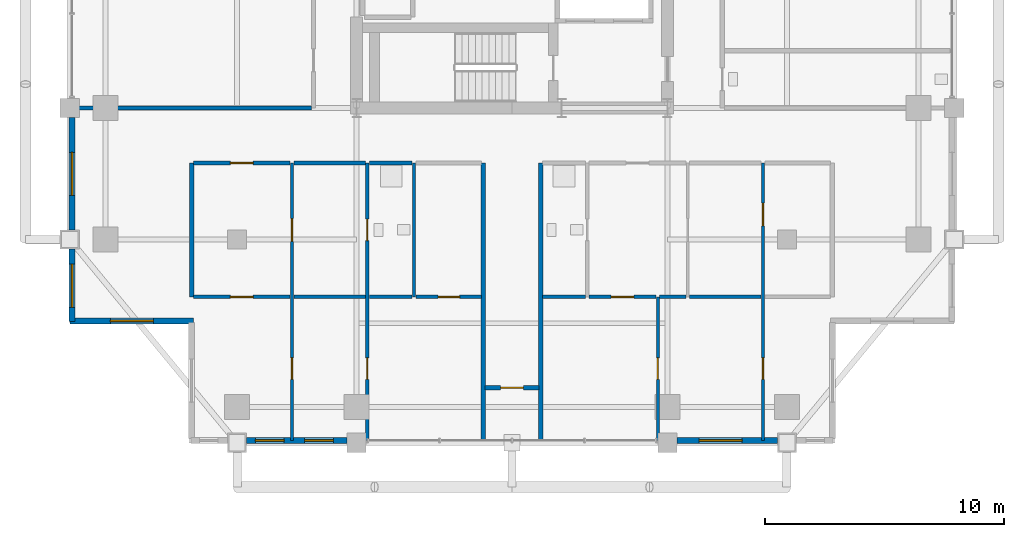
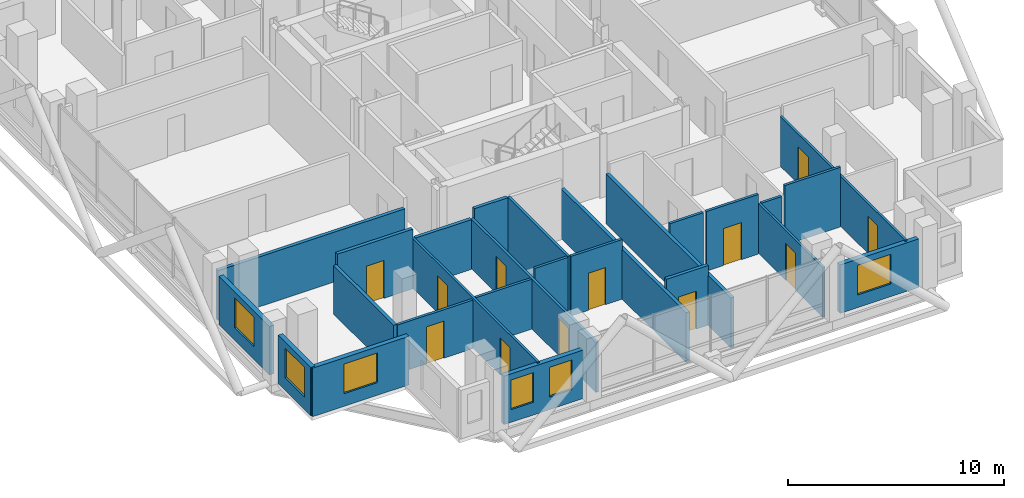
# One storey, part 20 of 26: 26 walls, 12 doors, 6 windows, 18 openings.
"""IFC4 building model written with IfcOpenShell, lengths in metres."""

from ifc_helpers import new_model, si_unit, direction, frame, frame_2d, origin, place, context, subcontext, project, spatial, rectangle, extrude, material, layer, layer_set, type_object, element, fill, save


model = new_model("IFC4")

# Units and contexts
model_context = context("Model", 3, precision=1e-05, world=origin(), true_north=direction((0.0, 1.0)))
body_context = subcontext(model_context, "Body", "Model", "MODEL_VIEW")
ifc_project = project(units=[si_unit("LENGTHUNIT", "METRE"), si_unit("AREAUNIT", "SQUARE_METRE"), si_unit("VOLUMEUNIT", "CUBIC_METRE"), si_unit("PLANEANGLEUNIT", "RADIAN"), si_unit("MASSUNIT", "GRAM", prefix="KILO")], contexts=[model_context])

# Site, building, storey
site_placement = place(None, origin())
site = spatial("IfcSite", under=ifc_project, at=site_placement, CompositionType="ELEMENT")
building_placement = place(site_placement, origin())
building = spatial("IfcBuilding", under=site, at=building_placement, Name="Barlavira Tower and Art Museum", CompositionType="ELEMENT")
storey_placement = place(building_placement, frame((0.0, 0.0, 198.0)))
storey = spatial("IfcBuildingStorey", under=building, at=storey_placement, Name="L51", CompositionType="ELEMENT", Elevation=198.0)

# Wall, openings, doors
ifc_material_1 = material(Name="Gypsum acoustic stud partition", Category="gypsum")
ifc_layer_1 = layer(ifc_material_1, 0.1201171875, Name="Gypsum acoustic stud partition")
ifc_layer_set_1 = layer_set([ifc_layer_1], Name="Gypsum acoustic stud partition")
wall_type_1 = type_object("IfcWallType", Name="Apartment Internal Acoustic Partition 120", PredefinedType="PARTITIONING", material=ifc_layer_set_1)
wall_1_placement = place(storey_placement, frame((-9.199951171875, -21.39990234375, 0.0), z_axis=(0.0, 0.0, 1.0), x_axis=(0.0, 1.0, 0.0)))
wall_1 = element("IfcWall", 1, at=wall_1_placement, inside=storey, type_object=wall_type_1, Name="L51 Partition Wall 3", PredefinedType="PARTITIONING", context=body_context, shape_type="SweptSolid", body=[
    extrude(rectangle(XDim=11.599853515625, YDim=0.1201171875, at=frame_2d((5.7998046875, 0.0))), origin(), (0.0, 0.0, 1.0), 2.825927734375),
])
opening_1_placement = place(wall_1_placement, frame((8.324951171875, 0.0, 0.0)))
opening_1 = element("IfcOpeningElement", 2, at=opening_1_placement, cuts=wall_1, Name="Opening D-02", PredefinedType="OPENING", context=body_context, shape_type="SweptSolid", body=[
    extrude(rectangle(XDim=0.949951171875, YDim=2.10009765625, at=frame_2d((0.47509765625, 1.050048828125))), frame((0.0, 0.070068359375, 0.0), z_axis=(0.0, -1.0, 0.0), x_axis=(1.0, 0.0, 0.0)), (0.0, 0.0, 1.0), 0.14013671875),
])
opening_2_placement = place(wall_1_placement, frame((2.550048828125, 0.0, 0.0)))
opening_2 = element("IfcOpeningElement", 3, at=opening_2_placement, cuts=wall_1, Name="Opening D-01", PredefinedType="OPENING", context=body_context, shape_type="SweptSolid", body=[
    extrude(rectangle(XDim=0.89990234375, YDim=2.10009765625, at=frame_2d((0.449951171875, 1.050048828125))), frame((0.0, 0.070068359375, 0.0), z_axis=(0.0, -1.0, 0.0), x_axis=(1.0, 0.0, 0.0)), (0.0, 0.0, 1.0), 0.14013671875),
])
ifc_material_2 = material(Name="Engineered coastal hardwood", Category="wood")
door_type_1 = type_object("IfcDoorType", Name="Internal Bedroom Timber Flush Door 900x2100", OperationType="NOTDEFINED", PredefinedType="DOOR", material=ifc_material_2)
door_1_placement = place(opening_2_placement, origin())
door_1 = element("IfcDoor", 4, at=door_1_placement, inside=storey, type_object=door_type_1, Name="Apartment SW1 Bedroom 1 Door", OperationType="SINGLE_SWING_RIGHT", OverallHeight=2.10009765625, OverallWidth=0.89990234375, PredefinedType="DOOR", context=body_context, shape_type="SweptSolid", body=[
    extrude(rectangle(XDim=0.89990234375, YDim=2.10009765625, at=frame_2d((0.449951171875, 1.050048828125))), frame((0.0, 0.02490234375, 0.0), z_axis=(0.0, -1.0, 0.0), x_axis=(1.0, 0.0, 0.0)), (0.0, 0.0, 1.0), 0.050048828125),
])
fill(opening_2, door_1)
door_type_2 = type_object("IfcDoorType", Name="Living and Salon Glazed-Leaf Door 950x2100", OperationType="NOTDEFINED", PredefinedType="DOOR", material=ifc_material_2)
door_2_placement = place(opening_1_placement, origin())
door_2 = element("IfcDoor", 5, at=door_2_placement, inside=storey, type_object=door_type_2, Name="Apartment SW1 Kitchen Door", OperationType="SINGLE_SWING_RIGHT", OverallHeight=2.10009765625, OverallWidth=0.949951171875, PredefinedType="DOOR", context=body_context, shape_type="SweptSolid", body=[
    extrude(rectangle(XDim=0.949951171875, YDim=2.10009765625, at=frame_2d((0.47509765625, 1.050048828125))), frame((0.0, 0.02490234375, 0.0), z_axis=(0.0, -1.0, 0.0), x_axis=(1.0, 0.0, 0.0)), (0.0, 0.0, 1.0), 0.050048828125),
])
fill(opening_1, door_2)

# Wall, opening, door
wall_2_placement = place(storey_placement, frame((6.10009765625, -21.39990234375, 0.0), z_axis=(0.0, 0.0, 1.0), x_axis=(0.0, 1.0, 0.0)))
wall_2 = element("IfcWall", 6, at=wall_2_placement, inside=storey, type_object=wall_type_1, Name="L51 Partition Wall 19", PredefinedType="PARTITIONING", context=body_context, shape_type="SweptSolid", body=[
    extrude(rectangle(XDim=6.0, YDim=0.1201171875, at=frame_2d((3.0, 0.0))), origin(), (0.0, 0.0, 1.0), 2.825927734375),
])
opening_3_placement = place(wall_2_placement, frame((2.550048828125, 0.0, 0.0)))
opening_3 = element("IfcOpeningElement", 7, at=opening_3_placement, cuts=wall_2, Name="Opening D-01", PredefinedType="OPENING", context=body_context, shape_type="SweptSolid", body=[
    extrude(rectangle(XDim=0.89990234375, YDim=2.10009765625, at=frame_2d((0.449951171875, 1.050048828125))), frame((0.0, 0.070068359375, 0.0), z_axis=(0.0, -1.0, 0.0), x_axis=(1.0, 0.0, 0.0)), (0.0, 0.0, 1.0), 0.14013671875),
])
door_3_placement = place(opening_3_placement, origin())
door_3 = element("IfcDoor", 8, at=door_3_placement, inside=storey, type_object=door_type_1, Name="Apartment SE1 Bedroom 1 Door", OperationType="SINGLE_SWING_LEFT", OverallHeight=2.10009765625, OverallWidth=0.89990234375, PredefinedType="DOOR", context=body_context, shape_type="SweptSolid", body=[
    extrude(rectangle(XDim=0.89990234375, YDim=2.10009765625, at=frame_2d((0.449951171875, 1.050048828125))), frame((0.0, 0.02490234375, 0.0), z_axis=(0.0, -1.0, 0.0), x_axis=(1.0, 0.0, 0.0)), (0.0, 0.0, 1.0), 0.050048828125),
])
fill(opening_3, door_3)

# Wall, openings, doors
wall_3_placement = place(storey_placement, frame((10.5, -21.39990234375, 0.0), z_axis=(0.0, 0.0, 1.0), x_axis=(0.0, 1.0, 0.0)))
wall_3 = element("IfcWall", 9, at=wall_3_placement, inside=storey, type_object=wall_type_1, Name="L51 Partition Wall 24", PredefinedType="PARTITIONING", context=body_context, shape_type="SweptSolid", body=[
    extrude(rectangle(XDim=11.599853515625, YDim=0.1201171875, at=frame_2d((5.7998046875, 0.0))), origin(), (0.0, 0.0, 1.0), 2.825927734375),
])
opening_4_placement = place(wall_3_placement, frame((8.973388671875, 0.0, 0.0)))
opening_4 = element("IfcOpeningElement", 10, at=opening_4_placement, cuts=wall_3, Name="Opening D-02", PredefinedType="OPENING", context=body_context, shape_type="SweptSolid", body=[
    extrude(rectangle(XDim=0.949951171875, YDim=2.10009765625, at=frame_2d((0.47509765625, 1.050048828125))), frame((0.0, 0.070068359375, 0.0), z_axis=(0.0, -1.0, 0.0), x_axis=(1.0, 0.0, 0.0)), (0.0, 0.0, 1.0), 0.14013671875),
])
opening_5_placement = place(wall_3_placement, frame((2.550048828125, 0.0, 0.0)))
opening_5 = element("IfcOpeningElement", 11, at=opening_5_placement, cuts=wall_3, Name="Opening D-01", PredefinedType="OPENING", context=body_context, shape_type="SweptSolid", body=[
    extrude(rectangle(XDim=0.89990234375, YDim=2.10009765625, at=frame_2d((0.449951171875, 1.050048828125))), frame((0.0, 0.070068359375, 0.0), z_axis=(0.0, -1.0, 0.0), x_axis=(1.0, 0.0, 0.0)), (0.0, 0.0, 1.0), 0.14013671875),
])
door_4_placement = place(opening_5_placement, origin())
door_4 = element("IfcDoor", 12, at=door_4_placement, inside=storey, type_object=door_type_1, Name="Apartment SE1 Bedroom 2 Door", OperationType="SINGLE_SWING_RIGHT", OverallHeight=2.10009765625, OverallWidth=0.89990234375, PredefinedType="DOOR", context=body_context, shape_type="SweptSolid", body=[
    extrude(rectangle(XDim=0.89990234375, YDim=2.10009765625, at=frame_2d((0.449951171875, 1.050048828125))), frame((0.0, 0.02490234375, 0.0), z_axis=(0.0, -1.0, 0.0), x_axis=(1.0, 0.0, 0.0)), (0.0, 0.0, 1.0), 0.050048828125),
])
fill(opening_5, door_4)
door_5_placement = place(opening_4_placement, origin())
door_5 = element("IfcDoor", 13, at=door_5_placement, inside=storey, type_object=door_type_2, Name="Apartment SE1 Dining Salon Door", OperationType="SINGLE_SWING_LEFT", OverallHeight=2.10009765625, OverallWidth=0.949951171875, PredefinedType="DOOR", context=body_context, shape_type="SweptSolid", body=[
    extrude(rectangle(XDim=0.949951171875, YDim=2.10009765625, at=frame_2d((0.47509765625, 1.050048828125))), frame((0.0, 0.02490234375, 0.0), z_axis=(0.0, -1.0, 0.0), x_axis=(1.0, 0.0, 0.0)), (0.0, 0.0, 1.0), 0.050048828125),
])
fill(opening_4, door_5)

# Walls
ifc_layer_2 = layer(ifc_material_1, 0.179931640625, Name="Gypsum acoustic stud partition")
ifc_layer_set_2 = layer_set([ifc_layer_2], Name="Gypsum acoustic stud partition")
wall_type_2 = type_object("IfcWallType", Name="Inter-Tenancy Party Partition Wall 180", PredefinedType="PARTITIONING", material=ifc_layer_set_2)
wall_4_placement = place(storey_placement, frame((-13.39990234375, -15.39990234375, 0.0), z_axis=(0.0, 0.0, 1.0), x_axis=(0.0, 1.0, 0.0)))
element("IfcWall", 14, at=wall_4_placement, inside=storey, type_object=wall_type_2, Name="L51 Partition Wall 1", PredefinedType="PARTITIONING", context=body_context, shape_type="SweptSolid", body=[
    extrude(rectangle(XDim=5.599853515625, YDim=0.179931640625, at=frame_2d((2.7998046875, 0.0))), origin(), (0.0, 0.0, 1.0), 2.748046875),
])
for number, where, z_axis, x_axis, name in (
    (15, (-1.199951171875, -21.39990234375, 0.0), (0.0, 0.0, 1.0), (0.0, 1.0, 0.0), "L51 Partition Wall 12"),
    (16, (1.199951171875, -21.39990234375, 0.0), (0.0, 0.0, 1.0), (0.0, 1.0, 0.0), "L51 Partition Wall 14"),
):
    element("IfcWall", number, at=place(storey_placement, frame(where, z_axis=z_axis, x_axis=x_axis)), inside=storey, type_object=wall_type_2, Name=name, PredefinedType="PARTITIONING", context=body_context, shape_type="SweptSolid", body=[
        extrude(rectangle(XDim=11.599853515625, YDim=0.179931640625, at=frame_2d((5.7998046875, 0.0))), origin(), (0.0, 0.0, 1.0), 2.825927734375),
    ])

# Wall, opening, door
wall_5_placement = place(storey_placement, frame((-1.1201171875, -19.199951171875, 0.0), z_axis=(0.0, 0.0, 1.0), x_axis=(1.0, 0.0, 0.0)))
wall_5 = element("IfcWall", 17, at=wall_5_placement, inside=storey, type_object=wall_type_2, Name="L51 Partition Wall 28", PredefinedType="PARTITIONING", context=body_context, shape_type="SweptSolid", body=[
    extrude(rectangle(XDim=2.240234375, YDim=0.179931640625, at=frame_2d((1.1201171875, 0.0))), origin(), (0.0, 0.0, 1.0), 3.3798828125),
])
opening_6_placement = place(wall_5_placement, frame((0.64501953125, 0.0, 0.0)))
opening_6 = element("IfcOpeningElement", 18, at=opening_6_placement, cuts=wall_5, Name="Opening FD-60", PredefinedType="OPENING", context=body_context, shape_type="SweptSolid", body=[
    extrude(rectangle(XDim=0.949951171875, YDim=2.14990234375, at=frame_2d((0.47509765625, 1.074951171875))), frame((0.0, 0.10009765625, 0.0), z_axis=(0.0, -1.0, 0.0), x_axis=(1.0, 0.0, 0.0)), (0.0, 0.0, 1.0), 0.199951171875),
])
ifc_material_3 = material(Name="Brushed stainless steel", Category="steel")
door_type_3 = type_object("IfcDoorType", Name="Apartment Entrance and Riser Fire Door 950x2150 FD60S", OperationType="NOTDEFINED", PredefinedType="DOOR", material=ifc_material_3)
door_6_placement = place(opening_6_placement, origin())
door_6 = element("IfcDoor", 19, at=door_6_placement, inside=storey, type_object=door_type_3, Name="L51 South Horizon Reading Alcove Door", OperationType="SINGLE_SWING_RIGHT", OverallHeight=2.14990234375, OverallWidth=0.949951171875, PredefinedType="DOOR", context=body_context, shape_type="SweptSolid", body=[
    extrude(rectangle(XDim=0.949951171875, YDim=2.14990234375, at=frame_2d((0.47509765625, 1.074951171875))), frame((0.0, 0.02490234375, 0.0), z_axis=(0.0, -1.0, 0.0), x_axis=(1.0, 0.0, 0.0)), (0.0, 0.0, 1.0), 0.050048828125),
])
fill(opening_6, door_6)

wall_6_placement = place(storey_placement, frame((-13.320068359375, -9.800048828125, 0.0), z_axis=(0.0, 0.0, 1.0), x_axis=(1.0, 0.0, 0.0)))
wall_6 = element("IfcWall", 20, at=wall_6_placement, inside=storey, type_object=wall_type_2, Name="L51 Partition Wall 38", PredefinedType="PARTITIONING", context=body_context, shape_type="SweptSolid", body=[
    extrude(rectangle(XDim=4.0400390625, YDim=0.179931640625, at=frame_2d((2.02001953125, 0.0))), origin(), (0.0, 0.0, 1.0), 3.3798828125),
])
opening_7_placement = place(wall_6_placement, frame((1.544921875, 0.0, 0.0)))
opening_7 = element("IfcOpeningElement", 21, at=opening_7_placement, cuts=wall_6, Name="Opening FD-60", PredefinedType="OPENING", context=body_context, shape_type="SweptSolid", body=[
    extrude(rectangle(XDim=0.949951171875, YDim=2.14990234375, at=frame_2d((0.47509765625, 1.074951171875))), frame((0.0, 0.10009765625, 0.0), z_axis=(0.0, -1.0, 0.0), x_axis=(1.0, 0.0, 0.0)), (0.0, 0.0, 1.0), 0.199951171875),
])
door_7_placement = place(opening_7_placement, origin())
door_7 = element("IfcDoor", 22, at=door_7_placement, inside=storey, type_object=door_type_3, Name="Apartment Entrance Hall SW1 Door", OperationType="SINGLE_SWING_LEFT", OverallHeight=2.14990234375, OverallWidth=0.949951171875, PredefinedType="DOOR", context=body_context, shape_type="SweptSolid", body=[
    extrude(rectangle(XDim=0.949951171875, YDim=2.14990234375, at=frame_2d((0.47509765625, 1.074951171875))), frame((0.0, 0.02490234375, 0.0), z_axis=(0.0, -1.0, 0.0), x_axis=(1.0, 0.0, 0.0)), (0.0, 0.0, 1.0), 0.050048828125),
])
fill(opening_7, door_7)

# Walls
wall_7_placement = place(storey_placement, frame((-9.1201171875, -9.800048828125, 0.0), z_axis=(0.0, 0.0, 1.0), x_axis=(1.0, 0.0, 0.0)))
element("IfcWall", 23, at=wall_7_placement, inside=storey, type_object=wall_type_2, Name="L51 Partition Wall 39", PredefinedType="PARTITIONING", context=body_context, shape_type="SweptSolid", body=[
    extrude(rectangle(XDim=2.990234375, YDim=0.179931640625, at=frame_2d((1.4951171875, 0.0))), origin(), (0.0, 0.0, 1.0), 2.825927734375),
])
wall_8_placement = place(storey_placement, frame((-5.969970703125, -9.800048828125, 0.0), z_axis=(0.0, 0.0, 1.0), x_axis=(1.0, 0.0, 0.0)))
element("IfcWall", 24, at=wall_8_placement, inside=storey, type_object=wall_type_2, Name="L51 Partition Wall 40", PredefinedType="PARTITIONING", context=body_context, shape_type="SweptSolid", body=[
    extrude(rectangle(XDim=1.7900390625, YDim=0.179931640625, at=frame_2d((0.89501953125, 0.0))), origin(), (0.0, 0.0, 1.0), 3.3798828125),
])
wall_9_placement = place(storey_placement, frame((-18.39990234375, -7.5, 0.0), z_axis=(0.0, 0.0, 1.0), x_axis=(1.0, 0.0, 0.0)))
element("IfcWall", 25, at=wall_9_placement, inside=storey, type_object=wall_type_2, Name="L51 Partition Wall 46", PredefinedType="PARTITIONING", context=body_context, shape_type="SweptSolid", body=[
    extrude(rectangle(XDim=10.02001953125, YDim=0.179931640625, at=frame_2d((5.010009765625, 0.0))), origin(), (0.0, 0.0, 1.0), 2.825927734375),
])

# Wall, openings, doors
ifc_layer_3 = layer(ifc_material_1, 0.139892578125, Name="Gypsum acoustic stud partition")
ifc_layer_set_3 = layer_set([ifc_layer_3], Name="Gypsum acoustic stud partition")
wall_type_3 = type_object("IfcWallType", Name="Moisture-Resistant Bathroom Partition 140", PredefinedType="PARTITIONING", material=ifc_layer_set_3)
wall_10_placement = place(storey_placement, frame((-6.050048828125, -21.39990234375, 0.0), z_axis=(0.0, 0.0, 1.0), x_axis=(0.0, 1.0, 0.0)))
wall_10 = element("IfcWall", 26, at=wall_10_placement, inside=storey, type_object=wall_type_3, Name="L51 Partition Wall 7", PredefinedType="PARTITIONING", context=body_context, shape_type="SweptSolid", body=[
    extrude(rectangle(XDim=11.599853515625, YDim=0.139892578125, at=frame_2d((5.7998046875, 0.0))), origin(), (0.0, 0.0, 1.0), 2.825927734375),
])
opening_8_placement = place(wall_10_placement, frame((8.35009765625, 0.0, 0.0)))
opening_8 = element("IfcOpeningElement", 27, at=opening_8_placement, cuts=wall_10, Name="Opening D-WC", PredefinedType="OPENING", context=body_context, shape_type="SweptSolid", body=[
    extrude(rectangle(XDim=0.89990234375, YDim=2.10009765625, at=frame_2d((0.449951171875, 1.050048828125))), frame((0.0, 0.080078125, 0.0), z_axis=(0.0, -1.0, 0.0), x_axis=(1.0, 0.0, 0.0)), (0.0, 0.0, 1.0), 0.159912109375),
])
opening_9_placement = place(wall_10_placement, frame((2.550048828125, 0.0, 0.0)))
opening_9 = element("IfcOpeningElement", 28, at=opening_9_placement, cuts=wall_10, Name="Opening D-01", PredefinedType="OPENING", context=body_context, shape_type="SweptSolid", body=[
    extrude(rectangle(XDim=0.89990234375, YDim=2.10009765625, at=frame_2d((0.449951171875, 1.050048828125))), frame((0.0, 0.080078125, 0.0), z_axis=(0.0, -1.0, 0.0), x_axis=(1.0, 0.0, 0.0)), (0.0, 0.0, 1.0), 0.159912109375),
])
door_type_4 = type_object("IfcDoorType", Name="Accessible Bathroom Flush Door 900x2100", OperationType="NOTDEFINED", PredefinedType="DOOR", material=ifc_material_2)
door_8_placement = place(opening_8_placement, origin())
door_8 = element("IfcDoor", 29, at=door_8_placement, inside=storey, type_object=door_type_4, Name="Apartment SW1 Hall Bathroom Door", OperationType="SINGLE_SWING_LEFT", OverallHeight=2.10009765625, OverallWidth=0.89990234375, PredefinedType="DOOR", context=body_context, shape_type="SweptSolid", body=[
    extrude(rectangle(XDim=0.89990234375, YDim=2.10009765625, at=frame_2d((0.449951171875, 1.050048828125))), frame((0.0, 0.02490234375, 0.0), z_axis=(0.0, -1.0, 0.0), x_axis=(1.0, 0.0, 0.0)), (0.0, 0.0, 1.0), 0.050048828125),
])
fill(opening_8, door_8)
door_9_placement = place(opening_9_placement, origin())
door_9 = element("IfcDoor", 30, at=door_9_placement, inside=storey, type_object=door_type_1, Name="Apartment SW1 Bedroom 2 Door", OperationType="SINGLE_SWING_LEFT", OverallHeight=2.10009765625, OverallWidth=0.89990234375, PredefinedType="DOOR", context=body_context, shape_type="SweptSolid", body=[
    extrude(rectangle(XDim=0.89990234375, YDim=2.10009765625, at=frame_2d((0.449951171875, 1.050048828125))), frame((0.0, 0.02490234375, 0.0), z_axis=(0.0, -1.0, 0.0), x_axis=(1.0, 0.0, 0.0)), (0.0, 0.0, 1.0), 0.050048828125),
])
fill(opening_9, door_9)

# Wall
wall_11_placement = place(storey_placement, frame((-4.10009765625, -15.39990234375, 0.0), z_axis=(0.0, 0.0, 1.0), x_axis=(0.0, 1.0, 0.0)))
element("IfcWall", 31, at=wall_11_placement, inside=storey, type_object=wall_type_3, Name="L51 Partition Wall 10", PredefinedType="PARTITIONING", context=body_context, shape_type="SweptSolid", body=[
    extrude(rectangle(XDim=5.599853515625, YDim=0.139892578125, at=frame_2d((2.7998046875, 0.0))), origin(), (0.0, 0.0, 1.0), 3.3798828125),
])

# Wall, opening, door
wall_12_placement = place(storey_placement, frame((-13.320068359375, -15.39990234375, 0.0), z_axis=(0.0, 0.0, 1.0), x_axis=(1.0, 0.0, 0.0)))
wall_12 = element("IfcWall", 32, at=wall_12_placement, inside=storey, type_object=wall_type_3, Name="L51 Partition Wall 29", PredefinedType="PARTITIONING", context=body_context, shape_type="SweptSolid", body=[
    extrude(rectangle(XDim=4.0400390625, YDim=0.139892578125, at=frame_2d((2.02001953125, 0.0))), origin(), (0.0, 0.0, 1.0), 2.748046875),
])
opening_10_placement = place(wall_12_placement, frame((1.544921875, 0.0, 0.0)))
opening_10 = element("IfcOpeningElement", 33, at=opening_10_placement, cuts=wall_12, Name="Opening D-02", PredefinedType="OPENING", context=body_context, shape_type="SweptSolid", body=[
    extrude(rectangle(XDim=0.949951171875, YDim=2.10009765625, at=frame_2d((0.47509765625, 1.050048828125))), frame((0.0, 0.080078125, 0.0), z_axis=(0.0, -1.0, 0.0), x_axis=(1.0, 0.0, 0.0)), (0.0, 0.0, 1.0), 0.159912109375),
])
door_10_placement = place(opening_10_placement, origin())
door_10 = element("IfcDoor", 34, at=door_10_placement, inside=storey, type_object=door_type_2, Name="Apartment SW1 Living Lounge Door", OperationType="SINGLE_SWING_LEFT", OverallHeight=2.10009765625, OverallWidth=0.949951171875, PredefinedType="DOOR", context=body_context, shape_type="SweptSolid", body=[
    extrude(rectangle(XDim=0.949951171875, YDim=2.10009765625, at=frame_2d((0.47509765625, 1.050048828125))), frame((0.0, 0.02490234375, 0.0), z_axis=(0.0, -1.0, 0.0), x_axis=(1.0, 0.0, 0.0)), (0.0, 0.0, 1.0), 0.050048828125),
])
fill(opening_10, door_10)

# Walls
wall_13_placement = place(storey_placement, frame((-9.1201171875, -15.39990234375, 0.0), z_axis=(0.0, 0.0, 1.0), x_axis=(1.0, 0.0, 0.0)))
element("IfcWall", 35, at=wall_13_placement, inside=storey, type_object=wall_type_3, Name="L51 Partition Wall 30", PredefinedType="PARTITIONING", context=body_context, shape_type="SweptSolid", body=[
    extrude(rectangle(XDim=2.990234375, YDim=0.139892578125, at=frame_2d((1.4951171875, 0.0))), origin(), (0.0, 0.0, 1.0), 2.825927734375),
])
wall_14_placement = place(storey_placement, frame((-5.969970703125, -15.39990234375, 0.0), z_axis=(0.0, 0.0, 1.0), x_axis=(1.0, 0.0, 0.0)))
element("IfcWall", 36, at=wall_14_placement, inside=storey, type_object=wall_type_3, Name="L51 Partition Wall 31", PredefinedType="PARTITIONING", context=body_context, shape_type="SweptSolid", body=[
    extrude(rectangle(XDim=1.7900390625, YDim=0.139892578125, at=frame_2d((0.89501953125, 0.0))), origin(), (0.0, 0.0, 1.0), 3.3798828125),
])

# Wall, opening, door
wall_15_placement = place(storey_placement, frame((-4.02001953125, -15.39990234375, 0.0), z_axis=(0.0, 0.0, 1.0), x_axis=(1.0, 0.0, 0.0)))
wall_15 = element("IfcWall", 37, at=wall_15_placement, inside=storey, type_object=wall_type_3, Name="L51 Partition Wall 32", PredefinedType="PARTITIONING", context=body_context, shape_type="SweptSolid", body=[
    extrude(rectangle(XDim=2.739990234375, YDim=0.139892578125, at=frame_2d((1.3701171875, 0.0))), origin(), (0.0, 0.0, 1.0), 3.3798828125),
])
opening_11_placement = place(wall_15_placement, frame((0.929931640625, 0.0, 0.0)))
opening_11 = element("IfcOpeningElement", 38, at=opening_11_placement, cuts=wall_15, Name="Opening D-01", PredefinedType="OPENING", context=body_context, shape_type="SweptSolid", body=[
    extrude(rectangle(XDim=0.89990234375, YDim=2.10009765625, at=frame_2d((0.449951171875, 1.050048828125))), frame((0.0, 0.080078125, 0.0), z_axis=(0.0, -1.0, 0.0), x_axis=(1.0, 0.0, 0.0)), (0.0, 0.0, 1.0), 0.159912109375),
])
door_11_placement = place(opening_11_placement, origin())
door_11 = element("IfcDoor", 39, at=door_11_placement, inside=storey, type_object=door_type_1, Name="Apartment SW1 Study Door", OperationType="SINGLE_SWING_RIGHT", OverallHeight=2.10009765625, OverallWidth=0.89990234375, PredefinedType="DOOR", context=body_context, shape_type="SweptSolid", body=[
    extrude(rectangle(XDim=0.89990234375, YDim=2.10009765625, at=frame_2d((0.449951171875, 1.050048828125))), frame((0.0, 0.02490234375, 0.0), z_axis=(0.0, -1.0, 0.0), x_axis=(1.0, 0.0, 0.0)), (0.0, 0.0, 1.0), 0.050048828125),
])
fill(opening_11, door_11)

# Wall
wall_16_placement = place(storey_placement, frame((1.280029296875, -15.39990234375, 0.0), z_axis=(0.0, 0.0, 1.0), x_axis=(1.0, 0.0, 0.0)))
element("IfcWall", 40, at=wall_16_placement, inside=storey, type_object=wall_type_3, Name="L51 Partition Wall 33", PredefinedType="PARTITIONING", context=body_context, shape_type="SweptSolid", body=[
    extrude(rectangle(XDim=1.7900390625, YDim=0.139892578125, at=frame_2d((0.89501953125, 0.0))), origin(), (0.0, 0.0, 1.0), 3.3798828125),
])

# Wall, opening, door
wall_17_placement = place(storey_placement, frame((3.22998046875, -15.39990234375, 0.0), z_axis=(0.0, 0.0, 1.0), x_axis=(1.0, 0.0, 0.0)))
wall_17 = element("IfcWall", 41, at=wall_17_placement, inside=storey, type_object=wall_type_3, Name="L51 Partition Wall 34", PredefinedType="PARTITIONING", context=body_context, shape_type="SweptSolid", body=[
    extrude(rectangle(XDim=2.7900390625, YDim=0.139892578125, at=frame_2d((1.39501953125, 0.0))), origin(), (0.0, 0.0, 1.0), 3.3798828125),
])
opening_12_placement = place(wall_17_placement, frame((0.9150390625, 0.0, 0.0)))
opening_12 = element("IfcOpeningElement", 42, at=opening_12_placement, cuts=wall_17, Name="Opening D-02", PredefinedType="OPENING", context=body_context, shape_type="SweptSolid", body=[
    extrude(rectangle(XDim=0.949951171875, YDim=2.10009765625, at=frame_2d((0.47509765625, 1.050048828125))), frame((0.0, 0.080078125, 0.0), z_axis=(0.0, -1.0, 0.0), x_axis=(1.0, 0.0, 0.0)), (0.0, 0.0, 1.0), 0.159912109375),
])
door_12_placement = place(opening_12_placement, origin())
door_12 = element("IfcDoor", 43, at=door_12_placement, inside=storey, type_object=door_type_2, Name="Apartment SE1 Living Lounge Door", OperationType="SINGLE_SWING_RIGHT", OverallHeight=2.10009765625, OverallWidth=0.949951171875, PredefinedType="DOOR", context=body_context, shape_type="SweptSolid", body=[
    extrude(rectangle(XDim=0.949951171875, YDim=2.10009765625, at=frame_2d((0.47509765625, 1.050048828125))), frame((0.0, 0.02490234375, 0.0), z_axis=(0.0, -1.0, 0.0), x_axis=(1.0, 0.0, 0.0)), (0.0, 0.0, 1.0), 0.050048828125),
])
fill(opening_12, door_12)

# Walls
wall_18_placement = place(storey_placement, frame((6.179931640625, -15.39990234375, 0.0), z_axis=(0.0, 0.0, 1.0), x_axis=(1.0, 0.0, 0.0)))
element("IfcWall", 44, at=wall_18_placement, inside=storey, type_object=wall_type_3, Name="L51 Partition Wall 35", PredefinedType="PARTITIONING", context=body_context, shape_type="SweptSolid", body=[
    extrude(rectangle(XDim=1.090087890625, YDim=0.139892578125, at=frame_2d((0.544921875, 0.0))), origin(), (0.0, 0.0, 1.0), 2.825927734375),
])
wall_19_placement = place(storey_placement, frame((7.429931640625, -15.39990234375, 0.0), z_axis=(0.0, 0.0, 1.0), x_axis=(1.0, 0.0, 0.0)))
element("IfcWall", 45, at=wall_19_placement, inside=storey, type_object=wall_type_3, Name="L51 Partition Wall 36", PredefinedType="PARTITIONING", context=body_context, shape_type="SweptSolid", body=[
    extrude(rectangle(XDim=2.989990234375, YDim=0.139892578125, at=frame_2d((1.4951171875, 0.0))), origin(), (0.0, 0.0, 1.0), 3.3798828125),
])

# Wall, openings, windows
ifc_material_4 = material(Name="Precast concrete C40", Category="concrete")
ifc_layer_4 = layer(ifc_material_4, 0.25, Name="Precast concrete C40")
ifc_layer_set_4 = layer_set([ifc_layer_4], Name="Precast concrete C40")
wall_type_4 = type_object("IfcWallType", Name="Notched Corner Spandrel Wall 250 Precast Concrete C40", PredefinedType="SOLIDWALL", material=ifc_layer_set_4)
wall_20_placement = place(storey_placement, frame((-11.10498046875, -21.39990234375, 0.0), z_axis=(0.0, 0.0, 1.0), x_axis=(1.0, 0.0, 0.0)))
wall_20 = element("IfcWall", 46, at=wall_20_placement, inside=storey, type_object=wall_type_4, Name="L51 Coastal Facade Pier Wall CW3-L51-S-2", PredefinedType="SOLIDWALL", context=body_context, shape_type="SweptSolid", body=[
    extrude(rectangle(XDim=4.2099609375, YDim=0.25, at=frame_2d((2.10498046875, 0.0))), origin(), (0.0, 0.0, 1.0), 2.748046875),
])
opening_13_placement = place(wall_20_placement, frame((0.375, 0.0, 0.719970703125)))
opening_13 = element("IfcOpeningElement", 47, at=opening_13_placement, cuts=wall_20, Name="Opening WN-05", PredefinedType="OPENING", context=body_context, shape_type="SweptSolid", body=[
    extrude(rectangle(XDim=1.199951171875, YDim=1.679931640625, at=frame_2d((0.60009765625, 0.83984375))), frame((0.0, 0.135009765625, 0.0), z_axis=(0.0, -1.0, 0.0), x_axis=(1.0, 0.0, 0.0)), (0.0, 0.0, 1.0), 0.27001953125),
])
opening_14_placement = place(wall_20_placement, frame((2.43505859375, 0.0, 0.719970703125)))
opening_14 = element("IfcOpeningElement", 48, at=opening_14_placement, cuts=wall_20, Name="Opening WN-05", PredefinedType="OPENING", context=body_context, shape_type="SweptSolid", body=[
    extrude(rectangle(XDim=1.199951171875, YDim=1.679931640625, at=frame_2d((0.60009765625, 0.83984375))), frame((0.0, 0.135009765625, 0.0), z_axis=(0.0, -1.0, 0.0), x_axis=(1.0, 0.0, 0.0)), (0.0, 0.0, 1.0), 0.27001953125),
])
ifc_material_5 = material(Name="Low-iron coastal laminated glass", Category="glass")
window_type_1 = type_object("IfcWindowType", Name="Recessed Flank Pier Punch Window 1200x1680", PartitioningType="SINGLE_PANEL", PredefinedType="WINDOW", material=ifc_material_5)
window_1_placement = place(opening_13_placement, origin())
window_1 = element("IfcWindow", 49, at=window_1_placement, inside=storey, type_object=window_type_1, Name="L51 Punched Facade Window EWP-CW3-L51-S-2-1", OverallHeight=1.679931640625, OverallWidth=1.199951171875, PartitioningType="SINGLE_PANEL", PredefinedType="WINDOW", context=body_context, shape_type="SweptSolid", body=[
    extrude(rectangle(XDim=1.199951171875, YDim=1.679931640625, at=frame_2d((0.60009765625, 0.83984375))), frame((0.0, 0.030029296875, 0.0), z_axis=(0.0, -1.0, 0.0), x_axis=(1.0, 0.0, 0.0)), (0.0, 0.0, 1.0), 0.06005859375),
])
fill(opening_13, window_1)
window_2_placement = place(opening_14_placement, origin())
window_2 = element("IfcWindow", 50, at=window_2_placement, inside=storey, type_object=window_type_1, Name="L51 Punched Facade Window EWP-CW3-L51-S-2-2", OverallHeight=1.679931640625, OverallWidth=1.199951171875, PartitioningType="SINGLE_PANEL", PredefinedType="WINDOW", context=body_context, shape_type="SweptSolid", body=[
    extrude(rectangle(XDim=1.199951171875, YDim=1.679931640625, at=frame_2d((0.60009765625, 0.83984375))), frame((0.0, 0.030029296875, 0.0), z_axis=(0.0, -1.0, 0.0), x_axis=(1.0, 0.0, 0.0)), (0.0, 0.0, 1.0), 0.06005859375),
])
fill(opening_14, window_2)

# Wall, opening, window
wall_21_placement = place(storey_placement, frame((6.89501953125, -21.39990234375, 0.0), z_axis=(0.0, 0.0, 1.0), x_axis=(1.0, 0.0, 0.0)))
wall_21 = element("IfcWall", 51, at=wall_21_placement, inside=storey, type_object=wall_type_4, Name="L51 Coastal Facade Pier Wall CW3-L51-S-4", PredefinedType="SOLIDWALL", context=body_context, shape_type="SweptSolid", body=[
    extrude(rectangle(XDim=4.2099609375, YDim=0.25, at=frame_2d((2.10498046875, 0.0))), origin(), (0.0, 0.0, 1.0), 2.748046875),
])
opening_15_placement = place(wall_21_placement, frame((0.93505859375, 0.0, 0.719970703125)))
opening_15 = element("IfcOpeningElement", 52, at=opening_15_placement, cuts=wall_21, Name="Opening WN-01", PredefinedType="OPENING", context=body_context, shape_type="SweptSolid", body=[
    extrude(rectangle(XDim=1.800048828125, YDim=1.679931640625, at=frame_2d((0.89990234375, 0.83984375))), frame((0.0, 0.135009765625, 0.0), z_axis=(0.0, -1.0, 0.0), x_axis=(1.0, 0.0, 0.0)), (0.0, 0.0, 1.0), 0.27001953125),
])
window_type_2 = type_object("IfcWindowType", Name="Recessed Notch Corner Punch Window 1800x1680", PartitioningType="SINGLE_PANEL", PredefinedType="WINDOW", material=ifc_material_5)
window_3_placement = place(opening_15_placement, origin())
window_3 = element("IfcWindow", 53, at=window_3_placement, inside=storey, type_object=window_type_2, Name="L51 Punched Facade Window EWP-CW3-L51-S-4-1", OverallHeight=1.679931640625, OverallWidth=1.800048828125, PartitioningType="SINGLE_PANEL", PredefinedType="WINDOW", context=body_context, shape_type="SweptSolid", body=[
    extrude(rectangle(XDim=1.800048828125, YDim=1.679931640625, at=frame_2d((0.89990234375, 0.83984375))), frame((0.0, 0.030029296875, 0.0), z_axis=(0.0, -1.0, 0.0), x_axis=(1.0, 0.0, 0.0)), (0.0, 0.0, 1.0), 0.06005859375),
])
fill(opening_15, window_3)

wall_22_placement = place(storey_placement, frame((-18.39990234375, -7.89501953125, 0.0), z_axis=(0.0, 0.0, 1.0), x_axis=(0.0, -1.0, 0.0)))
wall_22 = element("IfcWall", 54, at=wall_22_placement, inside=storey, type_object=wall_type_4, Name="L51 Coastal Facade Pier Wall CW3-L51-W-4", PredefinedType="SOLIDWALL", context=body_context, shape_type="SweptSolid", body=[
    extrude(rectangle(XDim=4.7099609375, YDim=0.25, at=frame_2d((2.35498046875, 0.0))), origin(), (0.0, 0.0, 1.0), 2.748046875),
])
opening_16_placement = place(wall_22_placement, frame((1.455078125, 0.0, 0.719970703125)))
opening_16 = element("IfcOpeningElement", 55, at=opening_16_placement, cuts=wall_22, Name="Opening WN-01", PredefinedType="OPENING", context=body_context, shape_type="SweptSolid", body=[
    extrude(rectangle(XDim=1.800048828125, YDim=1.679931640625, at=frame_2d((0.89990234375, 0.83984375))), frame((0.0, 0.135009765625, 0.0), z_axis=(0.0, -1.0, 0.0), x_axis=(1.0, 0.0, 0.0)), (0.0, 0.0, 1.0), 0.27001953125),
])
window_4_placement = place(opening_16_placement, origin())
window_4 = element("IfcWindow", 56, at=window_4_placement, inside=storey, type_object=window_type_2, Name="L51 Punched Facade Window EWP-CW3-L51-W-4-1", OverallHeight=1.679931640625, OverallWidth=1.800048828125, PartitioningType="SINGLE_PANEL", PredefinedType="WINDOW", context=body_context, shape_type="SweptSolid", body=[
    extrude(rectangle(XDim=1.800048828125, YDim=1.679931640625, at=frame_2d((0.89990234375, 0.83984375))), frame((0.0, 0.030029296875, 0.0), z_axis=(0.0, -1.0, 0.0), x_axis=(1.0, 0.0, 0.0)), (0.0, 0.0, 1.0), 0.06005859375),
])
fill(opening_16, window_4)

wall_23_placement = place(storey_placement, frame((-18.39990234375, -13.39501953125, 0.0), z_axis=(0.0, 0.0, 1.0), x_axis=(0.0, -1.0, 0.0)))
wall_23 = element("IfcWall", 57, at=wall_23_placement, inside=storey, type_object=wall_type_4, Name="L51 Coastal Facade Pier Wall CW3-L51-W-5", PredefinedType="SOLIDWALL", context=body_context, shape_type="SweptSolid", body=[
    extrude(rectangle(XDim=3.030029296875, YDim=0.25, at=frame_2d((1.51513671875, 0.0))), origin(), (0.0, 0.0, 1.0), 2.748046875),
])
opening_17_placement = place(wall_23_placement, frame((0.637939453125, 0.0, 0.719970703125)))
opening_17 = element("IfcOpeningElement", 58, at=opening_17_placement, cuts=wall_23, Name="Opening WN-01", PredefinedType="OPENING", context=body_context, shape_type="SweptSolid", body=[
    extrude(rectangle(XDim=1.800048828125, YDim=1.679931640625, at=frame_2d((0.89990234375, 0.83984375))), frame((0.0, 0.135009765625, 0.0), z_axis=(0.0, -1.0, 0.0), x_axis=(1.0, 0.0, 0.0)), (0.0, 0.0, 1.0), 0.27001953125),
])
window_5_placement = place(opening_17_placement, origin())
window_5 = element("IfcWindow", 59, at=window_5_placement, inside=storey, type_object=window_type_2, Name="L51 Punched Facade Window EWP-CW3-L51-W-5-1", OverallHeight=1.679931640625, OverallWidth=1.800048828125, PartitioningType="SINGLE_PANEL", PredefinedType="WINDOW", context=body_context, shape_type="SweptSolid", body=[
    extrude(rectangle(XDim=1.800048828125, YDim=1.679931640625, at=frame_2d((0.89990234375, 0.83984375))), frame((0.0, 0.030029296875, 0.0), z_axis=(0.0, -1.0, 0.0), x_axis=(1.0, 0.0, 0.0)), (0.0, 0.0, 1.0), 0.06005859375),
])
fill(opening_17, window_5)

wall_24_placement = place(storey_placement, frame((-18.47998046875, -16.39990234375, 0.0), z_axis=(0.0, 0.0, 1.0), x_axis=(1.0, 0.0, 0.0)))
wall_24 = element("IfcWall", 60, at=wall_24_placement, inside=storey, type_object=wall_type_4, Name="L51 Notch Corner Wall SW1", PredefinedType="SOLIDWALL", context=body_context, shape_type="SweptSolid", body=[
    extrude(rectangle(XDim=5.159912109375, YDim=0.25, at=frame_2d((2.580078125, 0.0))), origin(), (0.0, 0.0, 1.0), 2.748046875),
])
opening_18_placement = place(wall_24_placement, frame((1.679931640625, 0.0, 0.719970703125)))
opening_18 = element("IfcOpeningElement", 61, at=opening_18_placement, cuts=wall_24, Name="Opening WN-01", PredefinedType="OPENING", context=body_context, shape_type="SweptSolid", body=[
    extrude(rectangle(XDim=1.800048828125, YDim=1.679931640625, at=frame_2d((0.89990234375, 0.83984375))), frame((0.0, 0.135009765625, 0.0), z_axis=(0.0, -1.0, 0.0), x_axis=(1.0, 0.0, 0.0)), (0.0, 0.0, 1.0), 0.27001953125),
])
window_6_placement = place(opening_18_placement, origin())
window_6 = element("IfcWindow", 62, at=window_6_placement, inside=storey, type_object=window_type_2, Name="L51 Punched Facade Window EW-NTC-L51-SW1-1", OverallHeight=1.679931640625, OverallWidth=1.800048828125, PartitioningType="SINGLE_PANEL", PredefinedType="WINDOW", context=body_context, shape_type="SweptSolid", body=[
    extrude(rectangle(XDim=1.800048828125, YDim=1.679931640625, at=frame_2d((0.89990234375, 0.83984375))), frame((0.0, 0.030029296875, 0.0), z_axis=(0.0, -1.0, 0.0), x_axis=(1.0, 0.0, 0.0)), (0.0, 0.0, 1.0), 0.06005859375),
])
fill(opening_18, window_6)

save(model, "model.ifc")
